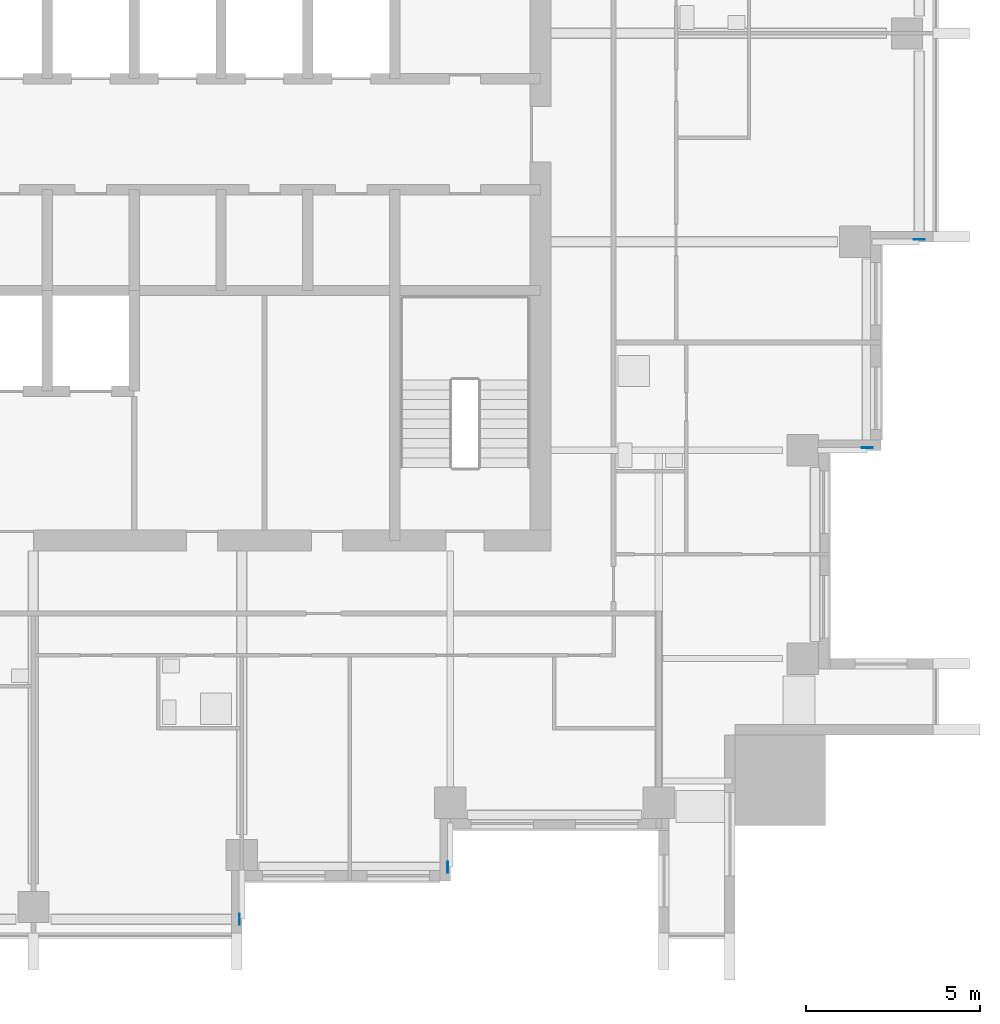
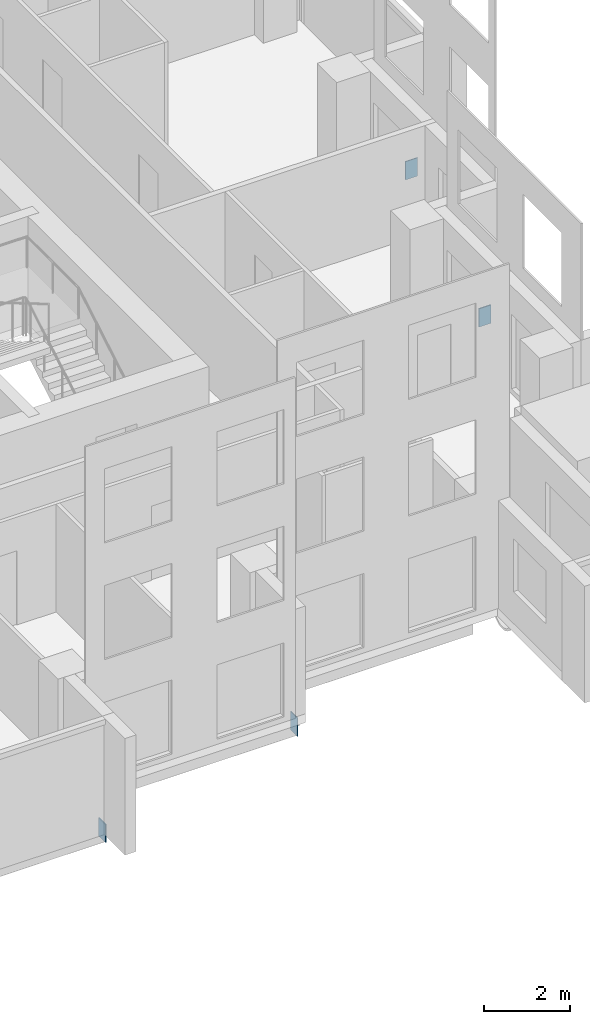
# One storey, part 9 of 12: 4 discrete accessories.
"""IFC4 building model written with IfcOpenShell, lengths in metres."""

from ifc_helpers import new_model, si_unit, direction, frame, origin, origin_2d, place, context, subcontext, project, spatial, rectangle, extrude, element, save


model = new_model("IFC4")

# Units and contexts
model_context = context("Model", 3, precision=1e-05, world=origin(), true_north=direction((0.0, 1.0)))
body_context = subcontext(model_context, "Body", "Model", "MODEL_VIEW")
ifc_project = project(units=[si_unit("LENGTHUNIT", "METRE"), si_unit("AREAUNIT", "SQUARE_METRE"), si_unit("VOLUMEUNIT", "CUBIC_METRE"), si_unit("PLANEANGLEUNIT", "RADIAN"), si_unit("MASSUNIT", "GRAM", prefix="KILO")], contexts=[model_context])

# Site, building, storey
site_placement = place(None, origin())
site = spatial("IfcSite", under=ifc_project, at=site_placement, CompositionType="ELEMENT")
building_placement = place(site_placement, origin())
building = spatial("IfcBuilding", under=site, at=building_placement, Name="Amberfall Residences", CompositionType="ELEMENT")
storey_placement = place(building_placement, frame((0.0, 0.0, 187.0)))
storey = spatial("IfcBuildingStorey", under=building, at=storey_placement, Name="L49", CompositionType="ELEMENT", Elevation=187.0)

# Discrete accessories
for number, where, z_axis, x_axis, name in (
    (1, (77.532470703125, 22.89990234375, -0.760009765625), (0.0, 0.0, 1.0), (1.0, 0.0, 0.0), "End cap plate L49"),
    (2, (83.532470703125, 24.39990234375, -0.760009765625), (0.0, 0.0, 1.0), (1.0, 0.0, 0.0), "End cap plate L49"),
    (3, (95.60009765625, 36.467529296875, -0.760009765625), (0.0, 0.0, 1.0), (0.0, -1.0, 0.0), "End cap plate L49"),
    (4, (97.10009765625, 42.467529296875, -0.760009765625), (0.0, 0.0, 1.0), (0.0, -1.0, 0.0), "End cap plate L49"),
):
    element("IfcDiscreteAccessory", number, at=place(storey_placement, frame(where, z_axis=z_axis, x_axis=x_axis)), inside=storey, Name=name, PredefinedType="BRACKET", context=body_context, shape_type="SweptSolid", body=[
        extrude(rectangle(XDim=0.02490234375, YDim=0.320068359375, at=origin_2d()), origin(), (0.0, 0.0, 1.0), 0.52001953125),
    ])

save(model, "model.ifc")
